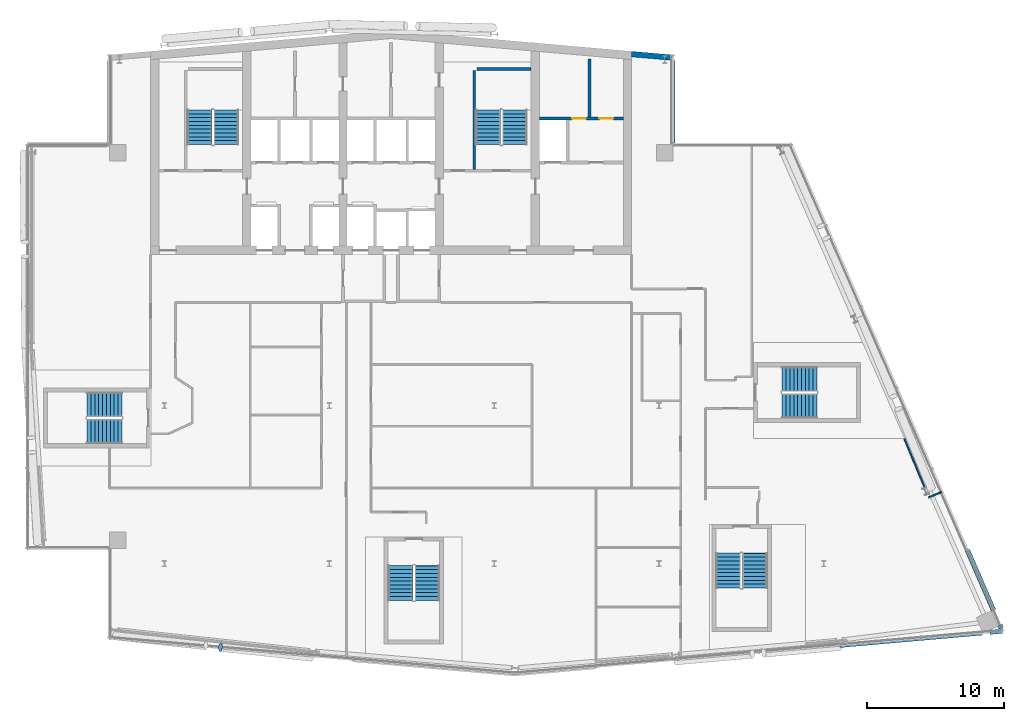
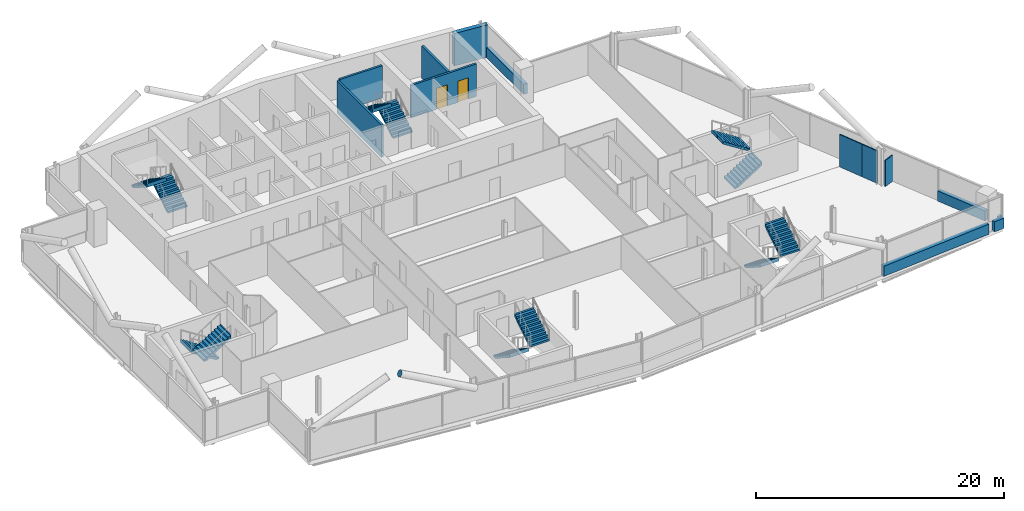
# One storey, part 19 of 25: 13 walls, 12 stair flights, 2 doors, 1 discrete accessory, 2 openings, 6 elements without a shape of their own.
"""IFC4 building model written with IfcOpenShell, lengths in metres."""

from ifc_helpers import new_model, si_unit, direction, frame, frame_2d, origin, origin_2d, place, context, subcontext, project, spatial, polyline, rectangle, circle, outline, extrude, material, layer, layer_set, material_profile, profile_set, type_object, element, fill, aggregate, save


model = new_model("IFC4")

# Units and contexts
model_context = context("Model", 3, precision=1e-05, world=origin(), true_north=direction((0.0, 1.0)))
body_context = subcontext(model_context, "Body", "Model", "MODEL_VIEW")
ifc_project = project(units=[si_unit("LENGTHUNIT", "METRE"), si_unit("AREAUNIT", "SQUARE_METRE"), si_unit("VOLUMEUNIT", "CUBIC_METRE"), si_unit("PLANEANGLEUNIT", "RADIAN"), si_unit("MASSUNIT", "GRAM", prefix="KILO")], contexts=[model_context])

# Site, building, storey
site_placement = place(None, origin())
site = spatial("IfcSite", under=ifc_project, at=site_placement, CompositionType="ELEMENT")
building_placement = place(site_placement, origin())
building = spatial("IfcBuilding", under=site, at=building_placement, Name="Wharfspan Tower", CompositionType="ELEMENT")
storey_placement = place(building_placement, frame((0.0, 0.0, 225.100098)))
storey = spatial("IfcBuildingStorey", under=building, at=storey_placement, Name="L56", CompositionType="ELEMENT", Elevation=225.100098)

# Wall
ifc_material_1 = material(Name="Calcium silicate masonry", Category="masonry")
ifc_layer_1 = layer(ifc_material_1, 0.199951)
ifc_layer_set_1 = layer_set([ifc_layer_1], Name="Calcium silicate masonry")
wall_type_1 = type_object("IfcWallType", Name="Core room wall 200", PredefinedType="PARTITIONING", material=ifc_layer_set_1)
wall_1_placement = place(storey_placement, frame((54.93335, 44.0, 0.0), z_axis=(0.0, 0.0, 1.0), x_axis=(0.0, 1.0, 0.0)))
element("IfcWall", 1, at=wall_1_placement, inside=storey, type_object=wall_type_1, Name="sw:L56:RP6.1", PredefinedType="PARTITIONING", context=body_context, shape_type="SweptSolid", body=[
    extrude(rectangle(XDim=4.217529, YDim=0.199951, at=frame_2d((2.108887, 0.0))), origin(), (0.0, 0.0, 1.0), 3.199951),
])

# Wall, openings, doors
ifc_material_2 = material(Name="Concrete C30/37", Category="concrete")
ifc_layer_2 = layer(ifc_material_2, 0.199951)
ifc_layer_set_2 = layer_set([ifc_layer_2], Name="Concrete C30/37")
wall_type_2 = type_object("IfcWallType", Name="Lift shaft wall 200", PredefinedType="PARTITIONING", material=ifc_layer_set_2)
wall_2_placement = place(storey_placement, frame((51.300049, 43.899902, 0.0), z_axis=(0.0, 0.0, 1.0), x_axis=(1.0, 0.0, 0.0)))
wall_2 = element("IfcWall", 2, at=wall_2_placement, inside=storey, type_object=wall_type_2, Name="sw:L56:RR6", PredefinedType="PARTITIONING", context=body_context, shape_type="SweptSolid", body=[
    extrude(rectangle(XDim=6.099854, YDim=0.199951, at=frame_2d((3.049805, 0.0))), origin(), (0.0, 0.0, 1.0), 3.199951),
])
opening_1_placement = place(wall_2_placement, frame((2.383301, 0.0, 0.0)))
opening_1 = element("IfcOpeningElement", 3, at=opening_1_placement, cuts=wall_2, Name="Opening CD56.6S2", PredefinedType="OPENING", context=body_context, shape_type="SweptSolid", body=[
    extrude(rectangle(XDim=1.0, YDim=2.100098, at=frame_2d((0.5, 1.050049))), frame((0.0, 0.109863, 0.0), z_axis=(0.0, -1.0, 0.0), x_axis=(1.0, 0.0, 0.0)), (0.0, 0.0, 1.0), 0.219971),
])
opening_2_placement = place(wall_2_placement, frame((4.366699, 0.0, 0.0)))
opening_2 = element("IfcOpeningElement", 4, at=opening_2_placement, cuts=wall_2, Name="Opening CD56.6S2a", PredefinedType="OPENING", context=body_context, shape_type="SweptSolid", body=[
    extrude(rectangle(XDim=1.0, YDim=2.100098, at=frame_2d((0.5, 1.050049))), frame((0.0, 0.109863, 0.0), z_axis=(0.0, -1.0, 0.0), x_axis=(1.0, 0.0, 0.0)), (0.0, 0.0, 1.0), 0.219971),
])
ifc_material_3 = material(Name="Steel door leaf", Category="steel")
door_type = type_object("IfcDoorType", Name="Core room door 1000x2100", OperationType="SINGLE_SWING_LEFT", PredefinedType="DOOR", material=ifc_material_3)
door_1_placement = place(opening_1_placement, origin())
door_1 = element("IfcDoor", 5, at=door_1_placement, inside=storey, type_object=door_type, Name="d:L56:6:rs6.2", OperationType="SINGLE_SWING_LEFT", OverallHeight=2.100098, OverallWidth=1.0, PredefinedType="DOOR", context=body_context, shape_type="SweptSolid", body=[
    extrude(rectangle(XDim=1.0, YDim=2.100098, at=frame_2d((0.5, 1.050049))), frame((0.0, 0.024902, 0.0), z_axis=(0.0, -1.0, 0.0), x_axis=(1.0, 0.0, 0.0)), (0.0, 0.0, 1.0), 0.050049),
])
fill(opening_1, door_1)
door_2_placement = place(opening_2_placement, origin())
door_2 = element("IfcDoor", 6, at=door_2_placement, inside=storey, type_object=door_type, Name="d:L56:6:rs6.2a", OperationType="SINGLE_SWING_LEFT", OverallHeight=2.100098, OverallWidth=1.0, PredefinedType="DOOR", context=body_context, shape_type="SweptSolid", body=[
    extrude(rectangle(XDim=1.0, YDim=2.100098, at=frame_2d((0.5, 1.050049))), frame((0.0, 0.024902, 0.0), z_axis=(0.0, -1.0, 0.0), x_axis=(1.0, 0.0, 0.0)), (0.0, 0.0, 1.0), 0.050049),
])
fill(opening_2, door_2)

# Walls
ifc_material_4 = material(Name="Gypsum board on steel studs", Category="steel")
ifc_layer_3 = layer(ifc_material_4, 0.100098)
ifc_layer_set_3 = layer_set([ifc_layer_3], Name="Gypsum board on steel studs")
wall_type_3 = type_object("IfcWallType", Name="Partition 100", PredefinedType="PARTITIONING", material=ifc_layer_set_3)
wall_3_placement = place(storey_placement, frame((78.75, 18.445068, 0.0), z_axis=(0.0, 0.0, 1.0), x_axis=(-0.381663, 0.924299, 0.0)))
element("IfcWall", 7, at=wall_3_placement, inside=storey, type_object=wall_type_3, Name="Partition L56.w055", PredefinedType="PARTITIONING", context=body_context, shape_type="SweptSolid", body=[
    extrude(rectangle(XDim=2.309814, YDim=0.100098, at=frame_2d((1.154785, 0.0))), origin(), (0.0, 0.0, 1.0), 3.199951),
])
wall_4_placement = place(storey_placement, frame((79.350098, 17.004883, 0.0), z_axis=(0.0, 0.0, 1.0), x_axis=(-0.383703, 0.923459, 0.0)))
element("IfcWall", 8, at=wall_4_placement, inside=storey, type_object=wall_type_3, Name="Partition L56.w056", PredefinedType="PARTITIONING", context=body_context, shape_type="SweptSolid", body=[
    extrude(rectangle(XDim=1.537842, YDim=0.100098, at=frame_2d((0.769043, 0.0))), origin(), (0.0, 0.0, 1.0), 3.199951),
])
wall_5_placement = place(storey_placement, frame((79.629883, 16.314941, 0.0), z_axis=(0.0, 0.0, 1.0), x_axis=(0.918616, 0.395147, 0.0)))
element("IfcWall", 9, at=wall_5_placement, inside=storey, type_object=wall_type_3, Name="Partition L56.w057", PredefinedType="PARTITIONING", context=body_context, shape_type="SweptSolid", body=[
    extrude(rectangle(XDim=1.03125, YDim=0.100098, at=frame_2d((0.515625, 0.0))), origin(), (0.0, 0.0, 1.0), 2.579834),
])
ifc_material_5 = material(Name="Concrete C40/50", Category="concrete")
ifc_layer_4 = layer(ifc_material_5, 0.350098)
ifc_layer_set_4 = layer_set([ifc_layer_4], Name="Concrete C40/50")
wall_type_4 = type_object("IfcWallType", Name="SPANDREL EXPOSED CONCRETE 350", PredefinedType="SOLIDWALL", material=ifc_layer_set_4)
wall_6_placement = place(storey_placement, frame((73.197021, 5.562256, 0.0), z_axis=(0.0, 0.0, 1.0), x_axis=(0.996198, 0.087163, 0.0)))
element("IfcWall", 10, at=wall_6_placement, inside=storey, type_object=wall_type_4, Name="Spandrel upstand L56 S2 2", PredefinedType="SOLIDWALL", context=body_context, shape_type="SweptSolid", body=[
    extrude(rectangle(XDim=10.35791, YDim=0.350098, at=frame_2d((5.178955, 0.0))), origin(), (0.0, 0.0, 1.0), 1.0),
])
wall_7_placement = place(storey_placement, frame((84.077637, 6.514404, 0.0), z_axis=(0.0, 0.0, 1.0), x_axis=(0.996213, 0.086971, 0.0)))
element("IfcWall", 11, at=wall_7_placement, inside=storey, type_object=wall_type_4, Name="Spandrel upstand L56 S2 3", PredefinedType="SOLIDWALL", context=body_context, shape_type="SweptSolid", body=[
    extrude(rectangle(XDim=0.92627, YDim=0.350098, at=frame_2d((0.463135, 0.0))), origin(), (0.0, 0.0, 1.0), 1.0),
])
wall_8_placement = place(storey_placement, frame((84.9104, 6.818604, 0.0), z_axis=(0.0, 0.0, 1.0), x_axis=(-0.398359, 0.91723, 0.0)))
element("IfcWall", 12, at=wall_8_placement, inside=storey, type_object=wall_type_4, Name="Spandrel upstand L56 E", PredefinedType="SOLIDWALL", context=body_context, shape_type="SweptSolid", body=[
    extrude(rectangle(XDim=0.21875, YDim=0.350098, at=frame_2d((0.109375, 0.0))), origin(), (0.0, 0.0, 1.0), 1.0),
])
wall_9_placement = place(storey_placement, frame((84.344727, 8.119873, 0.0), z_axis=(0.0, 0.0, 1.0), x_axis=(-0.398736, 0.917067, 0.0)))
element("IfcWall", 13, at=wall_9_placement, inside=storey, type_object=wall_type_4, Name="Spandrel upstand L56 E 2", PredefinedType="SOLIDWALL", context=body_context, shape_type="SweptSolid", body=[
    extrude(rectangle(XDim=4.748291, YDim=0.350098, at=frame_2d((2.374023, 0.0))), origin(), (0.0, 0.0, 1.0), 1.0),
])
wall_10_placement = place(storey_placement, frame((61.004883, 42.120117, 0.0), z_axis=(0.0, 0.0, 1.0), x_axis=(0.0, 1.0, 0.0)))
element("IfcWall", 14, at=wall_10_placement, inside=storey, type_object=wall_type_4, Name="Spandrel upstand L56 NRE-V", PredefinedType="SOLIDWALL", context=body_context, shape_type="SweptSolid", body=[
    extrude(rectangle(XDim=6.006348, YDim=0.350098, at=frame_2d((3.003174, 0.0))), origin(), (0.0, 0.0, 1.0), 1.0),
])
ifc_layer_5 = layer(ifc_material_5, 0.199951)
ifc_layer_set_5 = layer_set([ifc_layer_5], Name="Concrete C40/50")
wall_type_5 = type_object("IfcWallType", Name="Stair shaft wall 200", PredefinedType="SHEAR", material=ifc_layer_set_5)
wall_11_placement = place(storey_placement, frame((46.550049, 40.199951, 0.0), z_axis=(0.0, 0.0, 1.0), x_axis=(0.0, 1.0, 0.0)))
element("IfcWall", 15, at=wall_11_placement, inside=storey, type_object=wall_type_5, Name="ST2 stair enclosure wall L56", PredefinedType="SHEAR", context=body_context, shape_type="SweptSolid", body=[
    extrude(rectangle(XDim=7.199951, YDim=0.199951, at=frame_2d((3.600098, 0.0))), origin(), (0.0, 0.0, 1.0), 3.199951),
])
wall_12_placement = place(storey_placement, frame((46.75, 47.5, 0.0), z_axis=(0.0, 0.0, 1.0), x_axis=(1.0, 0.0, 0.0)))
element("IfcWall", 16, at=wall_12_placement, inside=storey, type_object=wall_type_5, Name="ST2 stair enclosure wall L56", PredefinedType="SHEAR", context=body_context, shape_type="SweptSolid", body=[
    extrude(rectangle(XDim=3.949951, YDim=0.199951, at=frame_2d((1.975098, 0.0))), origin(), (0.0, 0.0, 1.0), 3.199951),
])
ifc_layer_6 = layer(ifc_material_5, 0.399902)
ifc_layer_set_6 = layer_set([ifc_layer_6], Name="Concrete C40/50")
wall_type_6 = type_object("IfcWallType", Name="WALL EXPOSED CONCRETE 400", PredefinedType="SOLIDWALL", material=ifc_layer_set_6)
wall_13_placement = place(storey_placement, frame((60.982666, 48.325684, 0.0), z_axis=(0.0, 0.0, 1.0), x_axis=(-0.996194, 0.087168, 0.0)))
element("IfcWall", 17, at=wall_13_placement, inside=storey, type_object=wall_type_6, Name="Rear wall N2", PredefinedType="SOLIDWALL", context=body_context, shape_type="SweptSolid", body=[
    extrude(rectangle(XDim=2.994141, YDim=0.399902, at=frame_2d((1.49707, 0.0))), origin(), (0.0, 0.0, 1.0), 3.199951),
])

# Stair, stair flights
stair_type = type_object("IfcStairType", Name="Half-turn stair 20 risers 180 mm", PredefinedType="HALF_TURN_STAIR", material=ifc_material_5)
stair_1_placement = place(storey_placement, origin())
stair_1 = element("IfcStair", 18, at=stair_1_placement, inside=storey, type_object=stair_type, Name="L56 stair ST1", PredefinedType="HALF_TURN_STAIR")
stair_flight_type = type_object("IfcStairFlightType", Name="Stair flight 20 risers 180 mm", PredefinedType="STRAIGHT", material=ifc_material_5)
stair_flight_1_placement = place(storey_placement, frame((28.5, 42.0, 0.0), z_axis=(0.0, 0.0, 1.0), x_axis=(0.0, 1.0, 0.0)))
stair_flight_1 = element("IfcStairFlight", 19, at=stair_flight_1_placement, type_object=stair_flight_type, Name="ST1 flight 1", NumberOfRisers=10, NumberOfTreads=9, PredefinedType="STRAIGHT", RiserHeight=0.18, TreadLength=0.28, context=body_context, shape_type="SweptSolid", body=[
    extrude(outline(polyline([(-0.011963, 0.0), (-0.011963, 0.179932), (0.0, 0.179932), (0.280029, 0.179932), (0.280029, 0.360107), (0.560059, 0.360107), (0.560059, 0.540039), (0.840088, 0.540039), (0.840088, 0.719971), (1.120117, 0.719971), (1.120117, 0.899902), (1.399902, 0.899902), (1.399902, 1.080078), (1.679932, 1.080078), (1.679932, 1.26001), (1.959961, 1.26001), (1.959961, 1.439941), (2.23999, 1.439941), (2.23999, 1.620117), (2.52002, 1.620117), (2.531982, 1.800049), (2.531982, 1.441895), (0.2771, 0.0), (-0.011963, 0.0)])), frame((0.0, 0.899902, 0.0), z_axis=(0.0, -1.0, 0.0), x_axis=(1.0, 0.0, 0.0)), (0.0, 0.0, 1.0), 0.899414),
    extrude(outline(polyline([(-0.011963, 0.0), (-0.011963, 0.179932), (0.0, 0.179932), (0.280029, 0.179932), (0.280029, 0.360107), (0.560059, 0.360107), (0.560059, 0.540039), (0.840088, 0.540039), (0.840088, 0.719971), (1.120117, 0.719971), (1.120117, 0.899902), (1.399902, 0.899902), (1.399902, 1.080078), (1.679932, 1.080078), (1.679932, 1.26001), (1.959961, 1.26001), (1.959961, 1.439941), (2.23999, 1.439941), (2.23999, 1.620117), (2.52002, 1.620117), (2.531982, 1.800049), (2.531982, 1.441895), (0.2771, 0.0), (-0.011963, 0.0)])), frame((0.0, -0.000488, 0.0), z_axis=(0.0, -1.0, 0.0), x_axis=(1.0, 0.0, 0.0)), (0.0, 0.0, 1.0), 0.899414),
])
stair_flight_2_placement = place(storey_placement, frame((26.550049, 44.52002, 1.799805), z_axis=(0.0, 0.0, 1.0), x_axis=(0.0, -1.0, 0.0)))
stair_flight_2 = element("IfcStairFlight", 20, at=stair_flight_2_placement, type_object=stair_flight_type, Name="ST1 flight 2", NumberOfRisers=10, NumberOfTreads=9, PredefinedType="STRAIGHT", RiserHeight=0.18, TreadLength=0.28, context=body_context, shape_type="SweptSolid", body=[
    extrude(outline(polyline([(-0.011963, 0.0), (-0.011963, 0.179932), (0.0, 0.179932), (0.280029, 0.179932), (0.280029, 0.360107), (0.560059, 0.360107), (0.560059, 0.540039), (0.840088, 0.540039), (0.840088, 0.719971), (1.120117, 0.719971), (1.120117, 0.899902), (1.399902, 0.899902), (1.399902, 1.080078), (1.679932, 1.080078), (1.679932, 1.26001), (1.959961, 1.26001), (1.959961, 1.439941), (2.23999, 1.439941), (2.23999, 1.620117), (2.52002, 1.620117), (2.531982, 1.800049), (2.531982, 1.441895), (0.2771, 0.0), (-0.011963, 0.0)])), frame((0.0, 0.899902, 0.0), z_axis=(0.0, -1.0, 0.0), x_axis=(1.0, 0.0, 0.0)), (0.0, 0.0, 1.0), 0.899414),
    extrude(outline(polyline([(-0.011963, 0.0), (-0.011963, 0.179932), (0.0, 0.179932), (0.280029, 0.179932), (0.280029, 0.360107), (0.560059, 0.360107), (0.560059, 0.540039), (0.840088, 0.540039), (0.840088, 0.719971), (1.120117, 0.719971), (1.120117, 0.899902), (1.399902, 0.899902), (1.399902, 1.080078), (1.679932, 1.080078), (1.679932, 1.26001), (1.959961, 1.26001), (1.959961, 1.439941), (2.23999, 1.439941), (2.23999, 1.620117), (2.52002, 1.620117), (2.531982, 1.800049), (2.531982, 1.441895), (0.2771, 0.0), (-0.011963, 0.0)])), frame((0.0, -0.000488, 0.0), z_axis=(0.0, -1.0, 0.0), x_axis=(1.0, 0.0, 0.0)), (0.0, 0.0, 1.0), 0.899414),
])
aggregate(stair_1, [stair_flight_1, stair_flight_2])

stair_2_placement = place(storey_placement, origin())
stair_2 = element("IfcStair", 21, at=stair_2_placement, inside=storey, type_object=stair_type, Name="L56 stair ST2", PredefinedType="HALF_TURN_STAIR")
stair_flight_3_placement = place(storey_placement, frame((49.5, 42.0, 0.0), z_axis=(0.0, 0.0, 1.0), x_axis=(0.0, 1.0, 0.0)))
stair_flight_3 = element("IfcStairFlight", 22, at=stair_flight_3_placement, type_object=stair_flight_type, Name="ST2 flight 1", NumberOfRisers=10, NumberOfTreads=9, PredefinedType="STRAIGHT", RiserHeight=0.18, TreadLength=0.28, context=body_context, shape_type="SweptSolid", body=[
    extrude(outline(polyline([(-0.011963, 0.0), (-0.011963, 0.179932), (0.0, 0.179932), (0.280029, 0.179932), (0.280029, 0.360107), (0.560059, 0.360107), (0.560059, 0.540039), (0.840088, 0.540039), (0.840088, 0.719971), (1.120117, 0.719971), (1.120117, 0.899902), (1.399902, 0.899902), (1.399902, 1.080078), (1.679932, 1.080078), (1.679932, 1.26001), (1.959961, 1.26001), (1.959961, 1.439941), (2.23999, 1.439941), (2.23999, 1.620117), (2.52002, 1.620117), (2.531982, 1.800049), (2.531982, 1.441895), (0.2771, 0.0), (-0.011963, 0.0)])), frame((0.0, 0.899902, 0.0), z_axis=(0.0, -1.0, 0.0), x_axis=(1.0, 0.0, 0.0)), (0.0, 0.0, 1.0), 0.899414),
    extrude(outline(polyline([(-0.011963, 0.0), (-0.011963, 0.179932), (0.0, 0.179932), (0.280029, 0.179932), (0.280029, 0.360107), (0.560059, 0.360107), (0.560059, 0.540039), (0.840088, 0.540039), (0.840088, 0.719971), (1.120117, 0.719971), (1.120117, 0.899902), (1.399902, 0.899902), (1.399902, 1.080078), (1.679932, 1.080078), (1.679932, 1.26001), (1.959961, 1.26001), (1.959961, 1.439941), (2.23999, 1.439941), (2.23999, 1.620117), (2.52002, 1.620117), (2.531982, 1.800049), (2.531982, 1.441895), (0.2771, 0.0), (-0.011963, 0.0)])), frame((0.0, -0.000488, 0.0), z_axis=(0.0, -1.0, 0.0), x_axis=(1.0, 0.0, 0.0)), (0.0, 0.0, 1.0), 0.899414),
])
stair_flight_4_placement = place(storey_placement, frame((47.550049, 44.52002, 1.799805), z_axis=(0.0, 0.0, 1.0), x_axis=(0.0, -1.0, 0.0)))
stair_flight_4 = element("IfcStairFlight", 23, at=stair_flight_4_placement, type_object=stair_flight_type, Name="ST2 flight 2", NumberOfRisers=10, NumberOfTreads=9, PredefinedType="STRAIGHT", RiserHeight=0.18, TreadLength=0.28, context=body_context, shape_type="SweptSolid", body=[
    extrude(outline(polyline([(-0.011963, 0.0), (-0.011963, 0.179932), (0.0, 0.179932), (0.280029, 0.179932), (0.280029, 0.360107), (0.560059, 0.360107), (0.560059, 0.540039), (0.840088, 0.540039), (0.840088, 0.719971), (1.120117, 0.719971), (1.120117, 0.899902), (1.399902, 0.899902), (1.399902, 1.080078), (1.679932, 1.080078), (1.679932, 1.26001), (1.959961, 1.26001), (1.959961, 1.439941), (2.23999, 1.439941), (2.23999, 1.620117), (2.52002, 1.620117), (2.531982, 1.800049), (2.531982, 1.441895), (0.2771, 0.0), (-0.011963, 0.0)])), frame((0.0, 0.899902, 0.0), z_axis=(0.0, -1.0, 0.0), x_axis=(1.0, 0.0, 0.0)), (0.0, 0.0, 1.0), 0.899414),
    extrude(outline(polyline([(-0.011963, 0.0), (-0.011963, 0.179932), (0.0, 0.179932), (0.280029, 0.179932), (0.280029, 0.360107), (0.560059, 0.360107), (0.560059, 0.540039), (0.840088, 0.540039), (0.840088, 0.719971), (1.120117, 0.719971), (1.120117, 0.899902), (1.399902, 0.899902), (1.399902, 1.080078), (1.679932, 1.080078), (1.679932, 1.26001), (1.959961, 1.26001), (1.959961, 1.439941), (2.23999, 1.439941), (2.23999, 1.620117), (2.52002, 1.620117), (2.531982, 1.800049), (2.531982, 1.441895), (0.2771, 0.0), (-0.011963, 0.0)])), frame((0.0, -0.000488, 0.0), z_axis=(0.0, -1.0, 0.0), x_axis=(1.0, 0.0, 0.0)), (0.0, 0.0, 1.0), 0.899414),
])
aggregate(stair_2, [stair_flight_3, stair_flight_4])

stair_3_placement = place(storey_placement, origin())
stair_3 = element("IfcStair", 24, at=stair_3_placement, inside=storey, type_object=stair_type, Name="L56 stair ST3", PredefinedType="HALF_TURN_STAIR")
stair_flight_5_placement = place(storey_placement, frame((20.899902, 23.074951, 0.0), z_axis=(0.0, 0.0, 1.0), x_axis=(-1.0, 0.0, 0.0)))
stair_flight_5 = element("IfcStairFlight", 25, at=stair_flight_5_placement, type_object=stair_flight_type, Name="ST3 flight 1", NumberOfRisers=10, NumberOfTreads=9, PredefinedType="STRAIGHT", RiserHeight=0.18, TreadLength=0.28, context=body_context, shape_type="SweptSolid", body=[
    extrude(outline(polyline([(-0.011963, 0.0), (-0.011963, 0.179932), (0.0, 0.179932), (0.280029, 0.179932), (0.280029, 0.360107), (0.560059, 0.360107), (0.560059, 0.540039), (0.840088, 0.540039), (0.840088, 0.719971), (1.120117, 0.719971), (1.120117, 0.899902), (1.399902, 0.899902), (1.399902, 1.080078), (1.679932, 1.080078), (1.679932, 1.26001), (1.959961, 1.26001), (1.959961, 1.439941), (2.23999, 1.439941), (2.23999, 1.620117), (2.52002, 1.620117), (2.531982, 1.800049), (2.531982, 1.441895), (0.2771, 0.0), (-0.011963, 0.0)])), frame((0.0, 0.899902, 0.0), z_axis=(0.0, -1.0, 0.0), x_axis=(1.0, 0.0, 0.0)), (0.0, 0.0, 1.0), 0.899414),
    extrude(outline(polyline([(-0.011963, 0.0), (-0.011963, 0.179932), (0.0, 0.179932), (0.280029, 0.179932), (0.280029, 0.360107), (0.560059, 0.360107), (0.560059, 0.540039), (0.840088, 0.540039), (0.840088, 0.719971), (1.120117, 0.719971), (1.120117, 0.899902), (1.399902, 0.899902), (1.399902, 1.080078), (1.679932, 1.080078), (1.679932, 1.26001), (1.959961, 1.26001), (1.959961, 1.439941), (2.23999, 1.439941), (2.23999, 1.620117), (2.52002, 1.620117), (2.531982, 1.800049), (2.531982, 1.441895), (0.2771, 0.0), (-0.011963, 0.0)])), frame((0.0, -0.000488, 0.0), z_axis=(0.0, -1.0, 0.0), x_axis=(1.0, 0.0, 0.0)), (0.0, 0.0, 1.0), 0.899414),
])
stair_flight_6_placement = place(storey_placement, frame((18.379883, 21.125, 1.799805), z_axis=(0.0, 0.0, 1.0), x_axis=(1.0, 0.0, 0.0)))
stair_flight_6 = element("IfcStairFlight", 26, at=stair_flight_6_placement, type_object=stair_flight_type, Name="ST3 flight 2", NumberOfRisers=10, NumberOfTreads=9, PredefinedType="STRAIGHT", RiserHeight=0.18, TreadLength=0.28, context=body_context, shape_type="SweptSolid", body=[
    extrude(outline(polyline([(-0.011963, 0.0), (-0.011963, 0.179932), (0.0, 0.179932), (0.280029, 0.179932), (0.280029, 0.360107), (0.560059, 0.360107), (0.560059, 0.540039), (0.840088, 0.540039), (0.840088, 0.719971), (1.120117, 0.719971), (1.120117, 0.899902), (1.399902, 0.899902), (1.399902, 1.080078), (1.679932, 1.080078), (1.679932, 1.26001), (1.959961, 1.26001), (1.959961, 1.439941), (2.23999, 1.439941), (2.23999, 1.620117), (2.52002, 1.620117), (2.531982, 1.800049), (2.531982, 1.441895), (0.2771, 0.0), (-0.011963, 0.0)])), frame((0.0, 0.899902, 0.0), z_axis=(0.0, -1.0, 0.0), x_axis=(1.0, 0.0, 0.0)), (0.0, 0.0, 1.0), 0.899414),
    extrude(outline(polyline([(-0.011963, 0.0), (-0.011963, 0.179932), (0.0, 0.179932), (0.280029, 0.179932), (0.280029, 0.360107), (0.560059, 0.360107), (0.560059, 0.540039), (0.840088, 0.540039), (0.840088, 0.719971), (1.120117, 0.719971), (1.120117, 0.899902), (1.399902, 0.899902), (1.399902, 1.080078), (1.679932, 1.080078), (1.679932, 1.26001), (1.959961, 1.26001), (1.959961, 1.439941), (2.23999, 1.439941), (2.23999, 1.620117), (2.52002, 1.620117), (2.531982, 1.800049), (2.531982, 1.441895), (0.2771, 0.0), (-0.011963, 0.0)])), frame((0.0, -0.000488, 0.0), z_axis=(0.0, -1.0, 0.0), x_axis=(1.0, 0.0, 0.0)), (0.0, 0.0, 1.0), 0.899414),
])
aggregate(stair_3, [stair_flight_5, stair_flight_6])

stair_4_placement = place(storey_placement, origin())
stair_4 = element("IfcStair", 27, at=stair_4_placement, inside=storey, type_object=stair_type, Name="L56 stair ST4", PredefinedType="HALF_TURN_STAIR")
stair_flight_7_placement = place(storey_placement, frame((41.177002, 11.343262, 0.0), z_axis=(0.0, 0.0, 1.0), x_axis=(0.0, -1.0, 0.0)))
stair_flight_7 = element("IfcStairFlight", 28, at=stair_flight_7_placement, type_object=stair_flight_type, Name="ST4 flight 1", NumberOfRisers=10, NumberOfTreads=9, PredefinedType="STRAIGHT", RiserHeight=0.18, TreadLength=0.28, context=body_context, shape_type="SweptSolid", body=[
    extrude(outline(polyline([(-0.011963, 0.0), (-0.011963, 0.179932), (0.0, 0.179932), (0.280029, 0.179932), (0.280029, 0.360107), (0.560059, 0.360107), (0.560059, 0.540039), (0.840088, 0.540039), (0.840088, 0.719971), (1.120117, 0.719971), (1.120117, 0.899902), (1.399902, 0.899902), (1.399902, 1.080078), (1.679932, 1.080078), (1.679932, 1.26001), (1.959961, 1.26001), (1.959961, 1.439941), (2.23999, 1.439941), (2.23999, 1.620117), (2.52002, 1.620117), (2.531982, 1.800049), (2.531982, 1.441895), (0.2771, 0.0), (-0.011963, 0.0)])), frame((0.0, 0.899902, 0.0), z_axis=(0.0, -1.0, 0.0), x_axis=(1.0, 0.0, 0.0)), (0.0, 0.0, 1.0), 0.899414),
    extrude(outline(polyline([(-0.011963, 0.0), (-0.011963, 0.179932), (0.0, 0.179932), (0.280029, 0.179932), (0.280029, 0.360107), (0.560059, 0.360107), (0.560059, 0.540039), (0.840088, 0.540039), (0.840088, 0.719971), (1.120117, 0.719971), (1.120117, 0.899902), (1.399902, 0.899902), (1.399902, 1.080078), (1.679932, 1.080078), (1.679932, 1.26001), (1.959961, 1.26001), (1.959961, 1.439941), (2.23999, 1.439941), (2.23999, 1.620117), (2.52002, 1.620117), (2.531982, 1.800049), (2.531982, 1.441895), (0.2771, 0.0), (-0.011963, 0.0)])), frame((0.0, -0.000488, 0.0), z_axis=(0.0, -1.0, 0.0), x_axis=(1.0, 0.0, 0.0)), (0.0, 0.0, 1.0), 0.899414),
])
stair_flight_8_placement = place(storey_placement, frame((43.127197, 8.823242, 1.799805), z_axis=(0.0, 0.0, 1.0), x_axis=(0.0, 1.0, 0.0)))
stair_flight_8 = element("IfcStairFlight", 29, at=stair_flight_8_placement, type_object=stair_flight_type, Name="ST4 flight 2", NumberOfRisers=10, NumberOfTreads=9, PredefinedType="STRAIGHT", RiserHeight=0.18, TreadLength=0.28, context=body_context, shape_type="SweptSolid", body=[
    extrude(outline(polyline([(-0.011963, 0.0), (-0.011963, 0.179932), (0.0, 0.179932), (0.280029, 0.179932), (0.280029, 0.360107), (0.560059, 0.360107), (0.560059, 0.540039), (0.840088, 0.540039), (0.840088, 0.719971), (1.120117, 0.719971), (1.120117, 0.899902), (1.399902, 0.899902), (1.399902, 1.080078), (1.679932, 1.080078), (1.679932, 1.26001), (1.959961, 1.26001), (1.959961, 1.439941), (2.23999, 1.439941), (2.23999, 1.620117), (2.52002, 1.620117), (2.531982, 1.800049), (2.531982, 1.441895), (0.2771, 0.0), (-0.011963, 0.0)])), frame((0.0, 0.899902, 0.0), z_axis=(0.0, -1.0, 0.0), x_axis=(1.0, 0.0, 0.0)), (0.0, 0.0, 1.0), 0.899414),
    extrude(outline(polyline([(-0.011963, 0.0), (-0.011963, 0.179932), (0.0, 0.179932), (0.280029, 0.179932), (0.280029, 0.360107), (0.560059, 0.360107), (0.560059, 0.540039), (0.840088, 0.540039), (0.840088, 0.719971), (1.120117, 0.719971), (1.120117, 0.899902), (1.399902, 0.899902), (1.399902, 1.080078), (1.679932, 1.080078), (1.679932, 1.26001), (1.959961, 1.26001), (1.959961, 1.439941), (2.23999, 1.439941), (2.23999, 1.620117), (2.52002, 1.620117), (2.531982, 1.800049), (2.531982, 1.441895), (0.2771, 0.0), (-0.011963, 0.0)])), frame((0.0, -0.000488, 0.0), z_axis=(0.0, -1.0, 0.0), x_axis=(1.0, 0.0, 0.0)), (0.0, 0.0, 1.0), 0.899414),
])
aggregate(stair_4, [stair_flight_7, stair_flight_8])

stair_5_placement = place(storey_placement, origin())
stair_5 = element("IfcStair", 30, at=stair_5_placement, inside=storey, type_object=stair_type, Name="L56 stair ST5", PredefinedType="HALF_TURN_STAIR")
stair_flight_9_placement = place(storey_placement, frame((65.043701, 12.246094, 0.0), z_axis=(0.0, 0.0, 1.0), x_axis=(0.0, -1.0, 0.0)))
stair_flight_9 = element("IfcStairFlight", 31, at=stair_flight_9_placement, type_object=stair_flight_type, Name="ST5 flight 1", NumberOfRisers=10, NumberOfTreads=9, PredefinedType="STRAIGHT", RiserHeight=0.18, TreadLength=0.28, context=body_context, shape_type="SweptSolid", body=[
    extrude(outline(polyline([(-0.011963, 0.0), (-0.011963, 0.179932), (0.0, 0.179932), (0.280029, 0.179932), (0.280029, 0.360107), (0.560059, 0.360107), (0.560059, 0.540039), (0.840088, 0.540039), (0.840088, 0.719971), (1.120117, 0.719971), (1.120117, 0.899902), (1.399902, 0.899902), (1.399902, 1.080078), (1.679932, 1.080078), (1.679932, 1.26001), (1.959961, 1.26001), (1.959961, 1.439941), (2.23999, 1.439941), (2.23999, 1.620117), (2.52002, 1.620117), (2.531982, 1.800049), (2.531982, 1.441895), (0.2771, 0.0), (-0.011963, 0.0)])), frame((0.0, 0.899902, 0.0), z_axis=(0.0, -1.0, 0.0), x_axis=(1.0, 0.0, 0.0)), (0.0, 0.0, 1.0), 0.899414),
    extrude(outline(polyline([(-0.011963, 0.0), (-0.011963, 0.179932), (0.0, 0.179932), (0.280029, 0.179932), (0.280029, 0.360107), (0.560059, 0.360107), (0.560059, 0.540039), (0.840088, 0.540039), (0.840088, 0.719971), (1.120117, 0.719971), (1.120117, 0.899902), (1.399902, 0.899902), (1.399902, 1.080078), (1.679932, 1.080078), (1.679932, 1.26001), (1.959961, 1.26001), (1.959961, 1.439941), (2.23999, 1.439941), (2.23999, 1.620117), (2.52002, 1.620117), (2.531982, 1.800049), (2.531982, 1.441895), (0.2771, 0.0), (-0.011963, 0.0)])), frame((0.0, -0.000488, 0.0), z_axis=(0.0, -1.0, 0.0), x_axis=(1.0, 0.0, 0.0)), (0.0, 0.0, 1.0), 0.899414),
])
stair_flight_10_placement = place(storey_placement, frame((66.993896, 9.726074, 1.799805), z_axis=(0.0, 0.0, 1.0), x_axis=(0.0, 1.0, 0.0)))
stair_flight_10 = element("IfcStairFlight", 32, at=stair_flight_10_placement, type_object=stair_flight_type, Name="ST5 flight 2", NumberOfRisers=10, NumberOfTreads=9, PredefinedType="STRAIGHT", RiserHeight=0.18, TreadLength=0.28, context=body_context, shape_type="SweptSolid", body=[
    extrude(outline(polyline([(-0.011963, 0.0), (-0.011963, 0.179932), (0.0, 0.179932), (0.280029, 0.179932), (0.280029, 0.360107), (0.560059, 0.360107), (0.560059, 0.540039), (0.840088, 0.540039), (0.840088, 0.719971), (1.120117, 0.719971), (1.120117, 0.899902), (1.399902, 0.899902), (1.399902, 1.080078), (1.679932, 1.080078), (1.679932, 1.26001), (1.959961, 1.26001), (1.959961, 1.439941), (2.23999, 1.439941), (2.23999, 1.620117), (2.52002, 1.620117), (2.531982, 1.800049), (2.531982, 1.441895), (0.2771, 0.0), (-0.011963, 0.0)])), frame((0.0, 0.899902, 0.0), z_axis=(0.0, -1.0, 0.0), x_axis=(1.0, 0.0, 0.0)), (0.0, 0.0, 1.0), 0.899414),
    extrude(outline(polyline([(-0.011963, 0.0), (-0.011963, 0.179932), (0.0, 0.179932), (0.280029, 0.179932), (0.280029, 0.360107), (0.560059, 0.360107), (0.560059, 0.540039), (0.840088, 0.540039), (0.840088, 0.719971), (1.120117, 0.719971), (1.120117, 0.899902), (1.399902, 0.899902), (1.399902, 1.080078), (1.679932, 1.080078), (1.679932, 1.26001), (1.959961, 1.26001), (1.959961, 1.439941), (2.23999, 1.439941), (2.23999, 1.620117), (2.52002, 1.620117), (2.531982, 1.800049), (2.531982, 1.441895), (0.2771, 0.0), (-0.011963, 0.0)])), frame((0.0, -0.000488, 0.0), z_axis=(0.0, -1.0, 0.0), x_axis=(1.0, 0.0, 0.0)), (0.0, 0.0, 1.0), 0.899414),
])
aggregate(stair_5, [stair_flight_9, stair_flight_10])

stair_6_placement = place(storey_placement, origin())
stair_6 = element("IfcStair", 33, at=stair_6_placement, inside=storey, type_object=stair_type, Name="L56 stair ST6", PredefinedType="HALF_TURN_STAIR")
stair_flight_11_placement = place(storey_placement, frame((68.969482, 22.975098, 0.0), z_axis=(0.0, 0.0, 1.0), x_axis=(1.0, 0.0, 0.0)))
stair_flight_11 = element("IfcStairFlight", 34, at=stair_flight_11_placement, type_object=stair_flight_type, Name="ST6 flight 1", NumberOfRisers=10, NumberOfTreads=9, PredefinedType="STRAIGHT", RiserHeight=0.18, TreadLength=0.28, context=body_context, shape_type="SweptSolid", body=[
    extrude(outline(polyline([(-0.011963, 0.0), (-0.011963, 0.179932), (0.0, 0.179932), (0.280029, 0.179932), (0.280029, 0.360107), (0.560059, 0.360107), (0.560059, 0.540039), (0.840088, 0.540039), (0.840088, 0.719971), (1.120117, 0.719971), (1.120117, 0.899902), (1.399902, 0.899902), (1.399902, 1.080078), (1.679932, 1.080078), (1.679932, 1.26001), (1.959961, 1.26001), (1.959961, 1.439941), (2.23999, 1.439941), (2.23999, 1.620117), (2.52002, 1.620117), (2.531982, 1.800049), (2.531982, 1.441895), (0.2771, 0.0), (-0.011963, 0.0)])), frame((0.0, 0.899902, 0.0), z_axis=(0.0, -1.0, 0.0), x_axis=(1.0, 0.0, 0.0)), (0.0, 0.0, 1.0), 0.899414),
    extrude(outline(polyline([(-0.011963, 0.0), (-0.011963, 0.179932), (0.0, 0.179932), (0.280029, 0.179932), (0.280029, 0.360107), (0.560059, 0.360107), (0.560059, 0.540039), (0.840088, 0.540039), (0.840088, 0.719971), (1.120117, 0.719971), (1.120117, 0.899902), (1.399902, 0.899902), (1.399902, 1.080078), (1.679932, 1.080078), (1.679932, 1.26001), (1.959961, 1.26001), (1.959961, 1.439941), (2.23999, 1.439941), (2.23999, 1.620117), (2.52002, 1.620117), (2.531982, 1.800049), (2.531982, 1.441895), (0.2771, 0.0), (-0.011963, 0.0)])), frame((0.0, -0.000488, 0.0), z_axis=(0.0, -1.0, 0.0), x_axis=(1.0, 0.0, 0.0)), (0.0, 0.0, 1.0), 0.899414),
])
stair_flight_12_placement = place(storey_placement, frame((71.489502, 24.925049, 1.799805), z_axis=(0.0, 0.0, 1.0), x_axis=(-1.0, 0.0, 0.0)))
stair_flight_12 = element("IfcStairFlight", 35, at=stair_flight_12_placement, type_object=stair_flight_type, Name="ST6 flight 2", NumberOfRisers=10, NumberOfTreads=9, PredefinedType="STRAIGHT", RiserHeight=0.18, TreadLength=0.28, context=body_context, shape_type="SweptSolid", body=[
    extrude(outline(polyline([(-0.011963, 0.0), (-0.011963, 0.179932), (0.0, 0.179932), (0.280029, 0.179932), (0.280029, 0.360107), (0.560059, 0.360107), (0.560059, 0.540039), (0.840088, 0.540039), (0.840088, 0.719971), (1.120117, 0.719971), (1.120117, 0.899902), (1.399902, 0.899902), (1.399902, 1.080078), (1.679932, 1.080078), (1.679932, 1.26001), (1.959961, 1.26001), (1.959961, 1.439941), (2.23999, 1.439941), (2.23999, 1.620117), (2.52002, 1.620117), (2.531982, 1.800049), (2.531982, 1.441895), (0.2771, 0.0), (-0.011963, 0.0)])), frame((0.0, 0.899902, 0.0), z_axis=(0.0, -1.0, 0.0), x_axis=(1.0, 0.0, 0.0)), (0.0, 0.0, 1.0), 0.899414),
    extrude(outline(polyline([(-0.011963, 0.0), (-0.011963, 0.179932), (0.0, 0.179932), (0.280029, 0.179932), (0.280029, 0.360107), (0.560059, 0.360107), (0.560059, 0.540039), (0.840088, 0.540039), (0.840088, 0.719971), (1.120117, 0.719971), (1.120117, 0.899902), (1.399902, 0.899902), (1.399902, 1.080078), (1.679932, 1.080078), (1.679932, 1.26001), (1.959961, 1.26001), (1.959961, 1.439941), (2.23999, 1.439941), (2.23999, 1.620117), (2.52002, 1.620117), (2.531982, 1.800049), (2.531982, 1.441895), (0.2771, 0.0), (-0.011963, 0.0)])), frame((0.0, -0.000488, 0.0), z_axis=(0.0, -1.0, 0.0), x_axis=(1.0, 0.0, 0.0)), (0.0, 0.0, 1.0), 0.899414),
])
aggregate(stair_6, [stair_flight_11, stair_flight_12])

# Discrete accessory
ifc_material_6 = material(Name="Steel S460NH", Category="steel")
ifc_material_profile = material_profile(ifc_material_6, circle(Radius=0.304932, at=origin_2d()))
ifc_profile_set = profile_set([ifc_material_profile], Name="Steel S460NH")
discrete_accessory_type = type_object("IfcDiscreteAccessoryType", Name="End plate CHS 610x25", PredefinedType="BRACKET", material=ifc_profile_set)
discrete_accessory_placement = place(storey_placement, frame((28.088867, 5.410889, 6.22876), z_axis=(-0.890043, 0.098894, 0.445021), x_axis=(-0.110431, -0.99388, 1e-06)))
element("IfcDiscreteAccessory", 36, at=discrete_accessory_placement, inside=storey, type_object=discrete_accessory_type, Name="End plate CHS 610x25", PredefinedType="BRACKET", context=body_context, shape_type="SweptSolid", body=[
    extrude(circle(Radius=0.304932, at=origin_2d()), origin(), (0.0, 0.0, 1.0), 0.009766),
])

save(model, "model.ifc")
